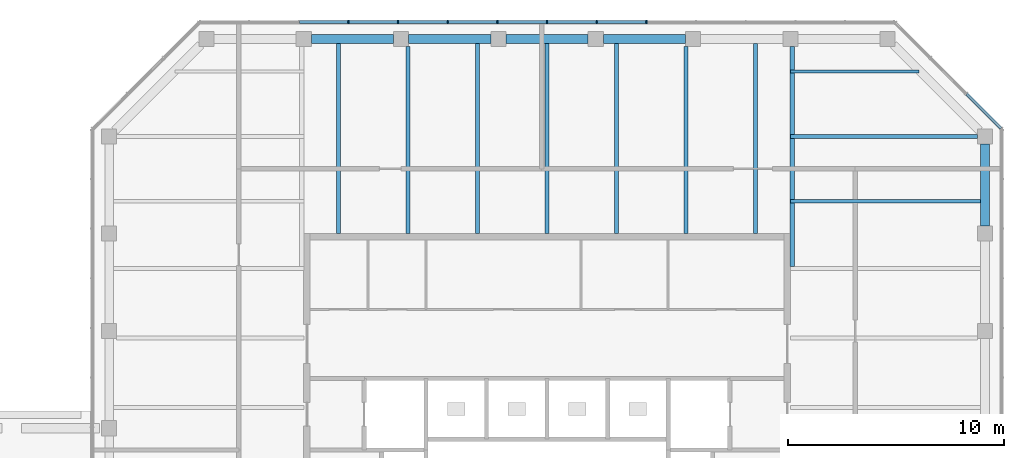
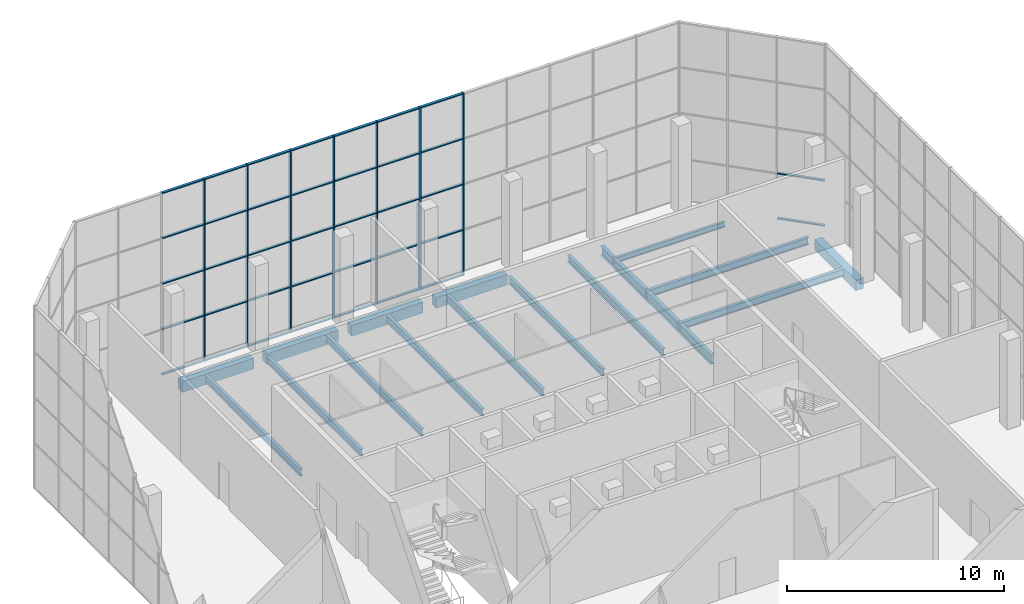
# One storey, part 8 of 19: 51 members, 16 beams, 2 elements without a shape of their own.
"""IFC4 building model written with IfcOpenShell, lengths in metres."""

from ifc_helpers import new_model, si_unit, direction, frame, origin, origin_2d, place, context, subcontext, project, spatial, rectangle, i_section, extrude, material, constituent, constituent_set, material_profile, profile_set, type_object, element, aggregate, save


model = new_model("IFC4")

# Units and contexts
model_context = context("Model", 3, precision=1e-05, world=origin(), true_north=direction((0.0, 1.0)))
body_context = subcontext(model_context, "Body", "Model", "MODEL_VIEW")
ifc_project = project(units=[si_unit("LENGTHUNIT", "METRE"), si_unit("AREAUNIT", "SQUARE_METRE"), si_unit("VOLUMEUNIT", "CUBIC_METRE"), si_unit("PLANEANGLEUNIT", "RADIAN"), si_unit("MASSUNIT", "GRAM", prefix="KILO")], contexts=[model_context])

# Site, building, storey
site_placement = place(None, origin())
site = spatial("IfcSite", under=ifc_project, at=site_placement, CompositionType="ELEMENT")
building_placement = place(site_placement, origin())
building = spatial("IfcBuilding", under=site, at=building_placement, Name="Quoin Convention Tower", CompositionType="ELEMENT")
storey_placement = place(building_placement, frame((0.0, 0.0, 263.699951171875)))
storey = spatial("IfcBuildingStorey", under=building, at=storey_placement, Name="L69", CompositionType="ELEMENT", Elevation=263.699951171875)

# Beams
ifc_material_1 = material(Name="Steel Grade 300", Category="steel")
ifc_material_profile_1 = material_profile(ifc_material_1, i_section(OverallWidth=0.14892578125, OverallDepth=0.298095703125, WebThickness=0.005615234375, FlangeThickness=0.008056640625, FilletRadius=0.012939453125, at=origin_2d()), Name="310UB32.0")
ifc_profile_set_1 = profile_set([ifc_material_profile_1], Name="Steel Grade 300")
beam_type_1 = type_object("IfcBeamType", Name="310UB32.0", PredefinedType="BEAM", material=ifc_profile_set_1)
beam_1_placement = place(storey_placement, frame((67.5, 79.5, -0.39892578125), z_axis=(1.0, 0.0, 0.0), x_axis=(0.0, 1.0, 0.0)))
element("IfcBeam", 1, at=beam_1_placement, inside=storey, type_object=beam_type_1, Name="bm-L69-T1NE0", PredefinedType="BEAM", context=body_context, shape_type="SweptSolid", body=[
    extrude(i_section(OverallWidth=0.14892578125, OverallDepth=0.298095703125, WebThickness=0.005615234375, FlangeThickness=0.008056640625, FilletRadius=0.012939453125, at=origin_2d()), origin(), (0.0, 0.0, 1.0), 5.947509765625),
])
ifc_material_profile_2 = material_profile(ifc_material_1, i_section(OverallWidth=0.177978515625, OverallDepth=0.403076171875, WebThickness=0.007568359375, FlangeThickness=0.010986328125, FilletRadius=0.011474609375, at=origin_2d()), Name="410UB53.7")
ifc_profile_set_2 = profile_set([ifc_material_profile_2], Name="Steel Grade 300")
beam_type_2 = type_object("IfcBeamType", Name="410UB53.7", PredefinedType="BEAM", material=ifc_profile_set_2)
beam_2_placement = place(storey_placement, frame((46.607177734375, 72.0, -0.451416015625), z_axis=(0.0, 1.0, 0.0), x_axis=(-1.0, 0.0, 0.0)))
element("IfcBeam", 2, at=beam_2_placement, inside=storey, type_object=beam_type_2, Name="bm-L69-T1N0", PredefinedType="BEAM", context=body_context, shape_type="SweptSolid", body=[
    extrude(i_section(OverallWidth=0.177978515625, OverallDepth=0.403076171875, WebThickness=0.007568359375, FlangeThickness=0.010986328125, FilletRadius=0.011474609375, at=origin_2d()), origin(), (0.0, 0.0, 1.0), 8.800048828125),
])
beam_3_placement = place(storey_placement, frame((49.8212890625, 72.0, -0.451416015625), z_axis=(0.0, 1.0, 0.0), x_axis=(-1.0, 0.0, 0.0)))
element("IfcBeam", 3, at=beam_3_placement, inside=storey, type_object=beam_type_2, Name="bm-L69-T1N1", PredefinedType="BEAM", context=body_context, shape_type="SweptSolid", body=[
    extrude(i_section(OverallWidth=0.177978515625, OverallDepth=0.403076171875, WebThickness=0.007568359375, FlangeThickness=0.010986328125, FilletRadius=0.011474609375, at=origin_2d()), origin(), (0.0, 0.0, 1.0), 8.64990234375),
])
for number, where, z_axis, x_axis, name in (
    (4, (53.03564453125, 72.0, -0.451416015625), (0.0, 1.0, 0.0), (-1.0, 0.0, 0.0), "bm-L69-T1N2"),
    (5, (56.25, 72.0, -0.451416015625), (0.0, 1.0, 0.0), (-1.0, 0.0, 0.0), "bm-L69-T1N3"),
    (6, (59.46435546875, 72.0, -0.451416015625), (0.0, 1.0, 0.0), (-1.0, 0.0, 0.0), "bm-L69-T1N4"),
):
    element("IfcBeam", number, at=place(storey_placement, frame(where, z_axis=z_axis, x_axis=x_axis)), inside=storey, type_object=beam_type_2, Name=name, PredefinedType="BEAM", context=body_context, shape_type="SweptSolid", body=[
        extrude(i_section(OverallWidth=0.177978515625, OverallDepth=0.403076171875, WebThickness=0.007568359375, FlangeThickness=0.010986328125, FilletRadius=0.011474609375, at=origin_2d()), origin(), (0.0, 0.0, 1.0), 8.800048828125),
    ])
beam_4_placement = place(storey_placement, frame((62.6787109375, 72.0, -0.451416015625), z_axis=(0.0, 1.0, 0.0), x_axis=(-1.0, 0.0, 0.0)))
element("IfcBeam", 7, at=beam_4_placement, inside=storey, type_object=beam_type_2, Name="bm-L69-T1N5", PredefinedType="BEAM", context=body_context, shape_type="SweptSolid", body=[
    extrude(i_section(OverallWidth=0.177978515625, OverallDepth=0.403076171875, WebThickness=0.007568359375, FlangeThickness=0.010986328125, FilletRadius=0.011474609375, at=origin_2d()), origin(), (0.0, 0.0, 1.0), 8.64990234375),
])
beam_5_placement = place(storey_placement, frame((65.892822265625, 72.0, -0.451416015625), z_axis=(0.0, 1.0, 0.0), x_axis=(-1.0, 0.0, 0.0)))
element("IfcBeam", 8, at=beam_5_placement, inside=storey, type_object=beam_type_2, Name="bm-L69-T1N6", PredefinedType="BEAM", context=body_context, shape_type="SweptSolid", body=[
    extrude(i_section(OverallWidth=0.177978515625, OverallDepth=0.403076171875, WebThickness=0.007568359375, FlangeThickness=0.010986328125, FilletRadius=0.011474609375, at=origin_2d()), origin(), (0.0, 0.0, 1.0), 8.800048828125),
])
beam_6_placement = place(storey_placement, frame((67.5, 76.5, -0.451416015625), z_axis=(1.0, 0.0, 0.0), x_axis=(0.0, 1.0, 0.0)))
element("IfcBeam", 9, at=beam_6_placement, inside=storey, type_object=beam_type_2, Name="bm-L69-T1NE1", PredefinedType="BEAM", context=body_context, shape_type="SweptSolid", body=[
    extrude(i_section(OverallWidth=0.177978515625, OverallDepth=0.403076171875, WebThickness=0.007568359375, FlangeThickness=0.010986328125, FilletRadius=0.011474609375, at=origin_2d()), origin(), (0.0, 0.0, 1.0), 8.64990234375),
])
beam_7_placement = place(storey_placement, frame((67.5, 73.5, -0.451416015625), z_axis=(1.0, 0.0, 0.0), x_axis=(0.0, 1.0, 0.0)))
element("IfcBeam", 10, at=beam_7_placement, inside=storey, type_object=beam_type_2, Name="bm-L69-T1NE2", PredefinedType="BEAM", context=body_context, shape_type="SweptSolid", body=[
    extrude(i_section(OverallWidth=0.177978515625, OverallDepth=0.403076171875, WebThickness=0.007568359375, FlangeThickness=0.010986328125, FilletRadius=0.011474609375, at=origin_2d()), origin(), (0.0, 0.0, 1.0), 8.800048828125),
])
ifc_material_profile_3 = material_profile(ifc_material_1, i_section(OverallWidth=0.208984375, OverallDepth=0.528076171875, WebThickness=0.009521484375, FlangeThickness=0.01318359375, FilletRadius=0.013916015625, at=origin_2d()), Name="530UB82.0")
ifc_profile_set_3 = profile_set([ifc_material_profile_3], Name="Steel Grade 300")
beam_type_3 = type_object("IfcBeamType", Name="530UB82.0", PredefinedType="BEAM", material=ifc_profile_set_3)
beam_8_placement = place(storey_placement, frame((67.595458984375, 80.64990234375, -0.513916015625), z_axis=(0.0, -1.0, 0.0), x_axis=(1.0, 0.0, 0.0)))
element("IfcBeam", 11, at=beam_8_placement, inside=storey, type_object=beam_type_3, Name="gir-L69-T1NE", PredefinedType="BEAM", context=body_context, shape_type="SweptSolid", body=[
    extrude(i_section(OverallWidth=0.208984375, OverallDepth=0.528076171875, WebThickness=0.009521484375, FlangeThickness=0.01318359375, FilletRadius=0.013916015625, at=origin_2d()), origin(), (0.0, 0.0, 1.0), 10.16796875),
])

# Curtain wall, members
ifc_material_2 = material(Name="Aluminium", Category="aluminium")
ifc_constituent_1 = constituent(ifc_material_2, Name="Frame")
ifc_material_3 = material(Name="Insulated glass", Category="glass")
ifc_constituent_2 = constituent(ifc_material_3, Name="Glazing")
ifc_constituent_set = constituent_set(constituents=[ifc_constituent_1, ifc_constituent_2], Name="Aluminium")
curtain_wall_type = type_object("IfcCurtainWallType", Name="Lantern wall system", PredefinedType="NOTDEFINED", material=ifc_constituent_set)
curtain_wall_1_placement = place(storey_placement, origin())
curtain_wall_1 = element("IfcCurtainWall", 12, at=curtain_wall_1_placement, inside=storey, type_object=curtain_wall_type, Name="crn-LNW-72000_81000", PredefinedType="NOTDEFINED")
ifc_material_profile_4 = material_profile(ifc_material_2, rectangle(XDim=0.179931640625, YDim=0.06005859375, at=origin_2d()), Name="Lantern wall mullion 60x180")
ifc_profile_set_4 = profile_set([ifc_material_profile_4], Name="Aluminium")
member_type_1 = type_object("IfcMemberType", Name="Lantern wall mullion 60x180", PredefinedType="MULLION", material=ifc_profile_set_4)
member_1_placement = place(storey_placement, frame((60.843505859375, 81.7900390625, -0.25), z_axis=(0.0, 0.0, 1.0), x_axis=(0.0, -1.0, 0.0)))
member_1 = element("IfcMember", 13, at=member_1_placement, type_object=member_type_1, Name="CW5 mullion 6", PredefinedType="MULLION", context=body_context, shape_type="SweptSolid", body=[
    extrude(rectangle(XDim=0.179931640625, YDim=0.06005859375, at=origin_2d()), origin(), (0.0, 0.0, 1.0), 5.25),
])
member_2_placement = place(storey_placement, frame((58.546630859375, 81.7900390625, -0.25), z_axis=(0.0, 0.0, 1.0), x_axis=(0.0, -1.0, 0.0)))
member_2 = element("IfcMember", 14, at=member_2_placement, type_object=member_type_1, Name="CW5 mullion 7", PredefinedType="MULLION", context=body_context, shape_type="SweptSolid", body=[
    extrude(rectangle(XDim=0.179931640625, YDim=0.06005859375, at=origin_2d()), origin(), (0.0, 0.0, 1.0), 5.25),
])
member_3_placement = place(storey_placement, frame((56.25, 81.7900390625, -0.25), z_axis=(0.0, 0.0, 1.0), x_axis=(0.0, -1.0, 0.0)))
member_3 = element("IfcMember", 15, at=member_3_placement, type_object=member_type_1, Name="CW5 mullion 8", PredefinedType="MULLION", context=body_context, shape_type="SweptSolid", body=[
    extrude(rectangle(XDim=0.179931640625, YDim=0.06005859375, at=origin_2d()), origin(), (0.0, 0.0, 1.0), 5.25),
])
member_4_placement = place(storey_placement, frame((53.953369140625, 81.7900390625, -0.25), z_axis=(0.0, 0.0, 1.0), x_axis=(0.0, -1.0, 0.0)))
member_4 = element("IfcMember", 16, at=member_4_placement, type_object=member_type_1, Name="CW5 mullion 9", PredefinedType="MULLION", context=body_context, shape_type="SweptSolid", body=[
    extrude(rectangle(XDim=0.179931640625, YDim=0.06005859375, at=origin_2d()), origin(), (0.0, 0.0, 1.0), 5.25),
])
member_5_placement = place(storey_placement, frame((51.656494140625, 81.7900390625, -0.25), z_axis=(0.0, 0.0, 1.0), x_axis=(0.0, -1.0, 0.0)))
member_5 = element("IfcMember", 17, at=member_5_placement, type_object=member_type_1, Name="CW5 mullion 10", PredefinedType="MULLION", context=body_context, shape_type="SweptSolid", body=[
    extrude(rectangle(XDim=0.179931640625, YDim=0.06005859375, at=origin_2d()), origin(), (0.0, 0.0, 1.0), 5.25),
])
member_6_placement = place(storey_placement, frame((49.35986328125, 81.7900390625, -0.25), z_axis=(0.0, 0.0, 1.0), x_axis=(0.0, -1.0, 0.0)))
member_6 = element("IfcMember", 18, at=member_6_placement, type_object=member_type_1, Name="CW5 mullion 11", PredefinedType="MULLION", context=body_context, shape_type="SweptSolid", body=[
    extrude(rectangle(XDim=0.179931640625, YDim=0.06005859375, at=origin_2d()), origin(), (0.0, 0.0, 1.0), 5.25),
])
member_7_placement = place(storey_placement, frame((47.06298828125, 81.7900390625, -0.25), z_axis=(0.0, 0.0, 1.0), x_axis=(0.0, -1.0, 0.0)))
member_7 = element("IfcMember", 19, at=member_7_placement, type_object=member_type_1, Name="CW5 mullion 12", PredefinedType="MULLION", context=body_context, shape_type="SweptSolid", body=[
    extrude(rectangle(XDim=0.179931640625, YDim=0.06005859375, at=origin_2d()), origin(), (0.0, 0.0, 1.0), 5.25),
])
member_8_placement = place(storey_placement, frame((60.843505859375, 81.7900390625, 5.0), z_axis=(0.0, 0.0, 1.0), x_axis=(0.0, -1.0, 0.0)))
member_8 = element("IfcMember", 20, at=member_8_placement, type_object=member_type_1, Name="CW5 mullion 6", PredefinedType="MULLION", context=body_context, shape_type="SweptSolid", body=[
    extrude(rectangle(XDim=0.179931640625, YDim=0.06005859375, at=origin_2d()), origin(), (0.0, 0.0, 1.0), 5.0),
])
member_9_placement = place(storey_placement, frame((58.546630859375, 81.7900390625, 5.0), z_axis=(0.0, 0.0, 1.0), x_axis=(0.0, -1.0, 0.0)))
member_9 = element("IfcMember", 21, at=member_9_placement, type_object=member_type_1, Name="CW5 mullion 7", PredefinedType="MULLION", context=body_context, shape_type="SweptSolid", body=[
    extrude(rectangle(XDim=0.179931640625, YDim=0.06005859375, at=origin_2d()), origin(), (0.0, 0.0, 1.0), 5.0),
])
member_10_placement = place(storey_placement, frame((56.25, 81.7900390625, 5.0), z_axis=(0.0, 0.0, 1.0), x_axis=(0.0, -1.0, 0.0)))
member_10 = element("IfcMember", 22, at=member_10_placement, type_object=member_type_1, Name="CW5 mullion 8", PredefinedType="MULLION", context=body_context, shape_type="SweptSolid", body=[
    extrude(rectangle(XDim=0.179931640625, YDim=0.06005859375, at=origin_2d()), origin(), (0.0, 0.0, 1.0), 5.0),
])
member_11_placement = place(storey_placement, frame((53.953369140625, 81.7900390625, 5.0), z_axis=(0.0, 0.0, 1.0), x_axis=(0.0, -1.0, 0.0)))
member_11 = element("IfcMember", 23, at=member_11_placement, type_object=member_type_1, Name="CW5 mullion 9", PredefinedType="MULLION", context=body_context, shape_type="SweptSolid", body=[
    extrude(rectangle(XDim=0.179931640625, YDim=0.06005859375, at=origin_2d()), origin(), (0.0, 0.0, 1.0), 5.0),
])
member_12_placement = place(storey_placement, frame((51.656494140625, 81.7900390625, 5.0), z_axis=(0.0, 0.0, 1.0), x_axis=(0.0, -1.0, 0.0)))
member_12 = element("IfcMember", 24, at=member_12_placement, type_object=member_type_1, Name="CW5 mullion 10", PredefinedType="MULLION", context=body_context, shape_type="SweptSolid", body=[
    extrude(rectangle(XDim=0.179931640625, YDim=0.06005859375, at=origin_2d()), origin(), (0.0, 0.0, 1.0), 5.0),
])
member_13_placement = place(storey_placement, frame((49.35986328125, 81.7900390625, 5.0), z_axis=(0.0, 0.0, 1.0), x_axis=(0.0, -1.0, 0.0)))
member_13 = element("IfcMember", 25, at=member_13_placement, type_object=member_type_1, Name="CW5 mullion 11", PredefinedType="MULLION", context=body_context, shape_type="SweptSolid", body=[
    extrude(rectangle(XDim=0.179931640625, YDim=0.06005859375, at=origin_2d()), origin(), (0.0, 0.0, 1.0), 5.0),
])
member_14_placement = place(storey_placement, frame((47.06298828125, 81.7900390625, 5.0), z_axis=(0.0, 0.0, 1.0), x_axis=(0.0, -1.0, 0.0)))
member_14 = element("IfcMember", 26, at=member_14_placement, type_object=member_type_1, Name="CW5 mullion 12", PredefinedType="MULLION", context=body_context, shape_type="SweptSolid", body=[
    extrude(rectangle(XDim=0.179931640625, YDim=0.06005859375, at=origin_2d()), origin(), (0.0, 0.0, 1.0), 5.0),
])

curtain_wall_2_placement = place(storey_placement, origin())
curtain_wall_2 = element("IfcCurtainWall", 27, at=curtain_wall_2_placement, inside=storey, type_object=curtain_wall_type, Name="crn-LNW-76500_76500", PredefinedType="NOTDEFINED")
ifc_material_profile_5 = material_profile(ifc_material_2, rectangle(XDim=0.139892578125, YDim=0.06005859375, at=origin_2d()), Name="Lantern wall transom 60x140")
ifc_profile_set_5 = profile_set([ifc_material_profile_5], Name="Aluminium")
member_type_2 = type_object("IfcMemberType", Name="Lantern wall transom 60x140", PredefinedType="USERDEFINED", material=ifc_profile_set_5)
member_15_placement = place(storey_placement, frame((77.24755859375, 76.86962890625, -0.219970703125), z_axis=(-0.707106781187, 0.707106781187, 0.0), x_axis=(-0.707106781187, -0.707106781187, 0.0)))
member_15 = element("IfcMember", 28, at=member_15_placement, type_object=member_type_2, Name="CW5 transom 1.1", ObjectType="TRANSOM", PredefinedType="USERDEFINED", context=body_context, shape_type="SweptSolid", body=[
    extrude(rectangle(XDim=0.139892578125, YDim=0.06005859375, at=origin_2d()), origin(), (0.0, 0.0, 1.0), 2.24951171875),
])
member_16_placement = place(storey_placement, frame((77.24755859375, 76.86962890625, 2.3125), z_axis=(-0.707106781187, 0.707106781187, 0.0), x_axis=(-0.707106781187, -0.707106781187, 0.0)))
member_16 = element("IfcMember", 29, at=member_16_placement, type_object=member_type_2, Name="CW5 transom 1.2", ObjectType="TRANSOM", PredefinedType="USERDEFINED", context=body_context, shape_type="SweptSolid", body=[
    extrude(rectangle(XDim=0.139892578125, YDim=0.06005859375, at=origin_2d()), origin(), (0.0, 0.0, 1.0), 2.24951171875),
])
aggregate(curtain_wall_2, [member_15, member_16])

# Member
member_17_placement = place(storey_placement, frame((60.8134765625, 81.7900390625, -0.219970703125), z_axis=(-1.0, 0.0, 0.0), x_axis=(0.0, -1.0, 0.0)))
member_17 = element("IfcMember", 30, at=member_17_placement, type_object=member_type_2, Name="CW5 transom 6.1", ObjectType="TRANSOM", PredefinedType="USERDEFINED", context=body_context, shape_type="SweptSolid", body=[
    extrude(rectangle(XDim=0.139892578125, YDim=0.06005859375, at=origin_2d()), origin(), (0.0, 0.0, 1.0), 2.23681640625),
])

member_18_placement = place(storey_placement, frame((60.8134765625, 81.7900390625, 2.3125), z_axis=(-1.0, 0.0, 0.0), x_axis=(0.0, -1.0, 0.0)))
member_18 = element("IfcMember", 31, at=member_18_placement, type_object=member_type_2, Name="CW5 transom 6.2", ObjectType="TRANSOM", PredefinedType="USERDEFINED", context=body_context, shape_type="SweptSolid", body=[
    extrude(rectangle(XDim=0.139892578125, YDim=0.06005859375, at=origin_2d()), origin(), (0.0, 0.0, 1.0), 2.23681640625),
])

member_19_placement = place(storey_placement, frame((60.8134765625, 81.7900390625, 4.875), z_axis=(-1.0, 0.0, 0.0), x_axis=(0.0, -1.0, 0.0)))
member_19 = element("IfcMember", 32, at=member_19_placement, type_object=member_type_2, Name="CW5 transom 6.3", ObjectType="TRANSOM", PredefinedType="USERDEFINED", context=body_context, shape_type="SweptSolid", body=[
    extrude(rectangle(XDim=0.139892578125, YDim=0.06005859375, at=origin_2d()), origin(), (0.0, 0.0, 1.0), 2.23681640625),
])

member_20_placement = place(storey_placement, frame((60.8134765625, 81.7900390625, 7.4375), z_axis=(-1.0, 0.0, 0.0), x_axis=(0.0, -1.0, 0.0)))
member_20 = element("IfcMember", 33, at=member_20_placement, type_object=member_type_2, Name="CW5 transom 6.4", ObjectType="TRANSOM", PredefinedType="USERDEFINED", context=body_context, shape_type="SweptSolid", body=[
    extrude(rectangle(XDim=0.139892578125, YDim=0.06005859375, at=origin_2d()), origin(), (0.0, 0.0, 1.0), 2.23681640625),
])

member_21_placement = place(storey_placement, frame((60.8134765625, 81.7900390625, 9.969970703125), z_axis=(-1.0, 0.0, 0.0), x_axis=(0.0, -1.0, 0.0)))
member_21 = element("IfcMember", 34, at=member_21_placement, type_object=member_type_2, Name="CW5 transom 6.5", ObjectType="TRANSOM", PredefinedType="USERDEFINED", context=body_context, shape_type="SweptSolid", body=[
    extrude(rectangle(XDim=0.139892578125, YDim=0.06005859375, at=origin_2d()), origin(), (0.0, 0.0, 1.0), 2.23681640625),
])

member_22_placement = place(storey_placement, frame((58.516845703125, 81.7900390625, -0.219970703125), z_axis=(-1.0, 0.0, 0.0), x_axis=(0.0, -1.0, 0.0)))
member_22 = element("IfcMember", 35, at=member_22_placement, type_object=member_type_2, Name="CW5 transom 7.1", ObjectType="TRANSOM", PredefinedType="USERDEFINED", context=body_context, shape_type="SweptSolid", body=[
    extrude(rectangle(XDim=0.139892578125, YDim=0.06005859375, at=origin_2d()), origin(), (0.0, 0.0, 1.0), 2.23681640625),
])

member_23_placement = place(storey_placement, frame((58.516845703125, 81.7900390625, 2.3125), z_axis=(-1.0, 0.0, 0.0), x_axis=(0.0, -1.0, 0.0)))
member_23 = element("IfcMember", 36, at=member_23_placement, type_object=member_type_2, Name="CW5 transom 7.2", ObjectType="TRANSOM", PredefinedType="USERDEFINED", context=body_context, shape_type="SweptSolid", body=[
    extrude(rectangle(XDim=0.139892578125, YDim=0.06005859375, at=origin_2d()), origin(), (0.0, 0.0, 1.0), 2.23681640625),
])

member_24_placement = place(storey_placement, frame((58.516845703125, 81.7900390625, 4.875), z_axis=(-1.0, 0.0, 0.0), x_axis=(0.0, -1.0, 0.0)))
member_24 = element("IfcMember", 37, at=member_24_placement, type_object=member_type_2, Name="CW5 transom 7.3", ObjectType="TRANSOM", PredefinedType="USERDEFINED", context=body_context, shape_type="SweptSolid", body=[
    extrude(rectangle(XDim=0.139892578125, YDim=0.06005859375, at=origin_2d()), origin(), (0.0, 0.0, 1.0), 2.23681640625),
])

member_25_placement = place(storey_placement, frame((58.516845703125, 81.7900390625, 7.4375), z_axis=(-1.0, 0.0, 0.0), x_axis=(0.0, -1.0, 0.0)))
member_25 = element("IfcMember", 38, at=member_25_placement, type_object=member_type_2, Name="CW5 transom 7.4", ObjectType="TRANSOM", PredefinedType="USERDEFINED", context=body_context, shape_type="SweptSolid", body=[
    extrude(rectangle(XDim=0.139892578125, YDim=0.06005859375, at=origin_2d()), origin(), (0.0, 0.0, 1.0), 2.23681640625),
])

member_26_placement = place(storey_placement, frame((58.516845703125, 81.7900390625, 9.969970703125), z_axis=(-1.0, 0.0, 0.0), x_axis=(0.0, -1.0, 0.0)))
member_26 = element("IfcMember", 39, at=member_26_placement, type_object=member_type_2, Name="CW5 transom 7.5", ObjectType="TRANSOM", PredefinedType="USERDEFINED", context=body_context, shape_type="SweptSolid", body=[
    extrude(rectangle(XDim=0.139892578125, YDim=0.06005859375, at=origin_2d()), origin(), (0.0, 0.0, 1.0), 2.23681640625),
])

member_27_placement = place(storey_placement, frame((56.219970703125, 81.7900390625, -0.219970703125), z_axis=(-1.0, 0.0, 0.0), x_axis=(0.0, -1.0, 0.0)))
member_27 = element("IfcMember", 40, at=member_27_placement, type_object=member_type_2, Name="CW5 transom 8.1", ObjectType="TRANSOM", PredefinedType="USERDEFINED", context=body_context, shape_type="SweptSolid", body=[
    extrude(rectangle(XDim=0.139892578125, YDim=0.06005859375, at=origin_2d()), origin(), (0.0, 0.0, 1.0), 2.23681640625),
])

member_28_placement = place(storey_placement, frame((56.219970703125, 81.7900390625, 2.3125), z_axis=(-1.0, 0.0, 0.0), x_axis=(0.0, -1.0, 0.0)))
member_28 = element("IfcMember", 41, at=member_28_placement, type_object=member_type_2, Name="CW5 transom 8.2", ObjectType="TRANSOM", PredefinedType="USERDEFINED", context=body_context, shape_type="SweptSolid", body=[
    extrude(rectangle(XDim=0.139892578125, YDim=0.06005859375, at=origin_2d()), origin(), (0.0, 0.0, 1.0), 2.23681640625),
])

member_29_placement = place(storey_placement, frame((56.219970703125, 81.7900390625, 4.875), z_axis=(-1.0, 0.0, 0.0), x_axis=(0.0, -1.0, 0.0)))
member_29 = element("IfcMember", 42, at=member_29_placement, type_object=member_type_2, Name="CW5 transom 8.3", ObjectType="TRANSOM", PredefinedType="USERDEFINED", context=body_context, shape_type="SweptSolid", body=[
    extrude(rectangle(XDim=0.139892578125, YDim=0.06005859375, at=origin_2d()), origin(), (0.0, 0.0, 1.0), 2.23681640625),
])

member_30_placement = place(storey_placement, frame((56.219970703125, 81.7900390625, 7.4375), z_axis=(-1.0, 0.0, 0.0), x_axis=(0.0, -1.0, 0.0)))
member_30 = element("IfcMember", 43, at=member_30_placement, type_object=member_type_2, Name="CW5 transom 8.4", ObjectType="TRANSOM", PredefinedType="USERDEFINED", context=body_context, shape_type="SweptSolid", body=[
    extrude(rectangle(XDim=0.139892578125, YDim=0.06005859375, at=origin_2d()), origin(), (0.0, 0.0, 1.0), 2.23681640625),
])

member_31_placement = place(storey_placement, frame((56.219970703125, 81.7900390625, 9.969970703125), z_axis=(-1.0, 0.0, 0.0), x_axis=(0.0, -1.0, 0.0)))
member_31 = element("IfcMember", 44, at=member_31_placement, type_object=member_type_2, Name="CW5 transom 8.5", ObjectType="TRANSOM", PredefinedType="USERDEFINED", context=body_context, shape_type="SweptSolid", body=[
    extrude(rectangle(XDim=0.139892578125, YDim=0.06005859375, at=origin_2d()), origin(), (0.0, 0.0, 1.0), 2.23681640625),
])

member_32_placement = place(storey_placement, frame((53.92333984375, 81.7900390625, -0.219970703125), z_axis=(-1.0, 0.0, 0.0), x_axis=(0.0, -1.0, 0.0)))
member_32 = element("IfcMember", 45, at=member_32_placement, type_object=member_type_2, Name="CW5 transom 9.1", ObjectType="TRANSOM", PredefinedType="USERDEFINED", context=body_context, shape_type="SweptSolid", body=[
    extrude(rectangle(XDim=0.139892578125, YDim=0.06005859375, at=origin_2d()), origin(), (0.0, 0.0, 1.0), 2.23681640625),
])

member_33_placement = place(storey_placement, frame((53.92333984375, 81.7900390625, 2.3125), z_axis=(-1.0, 0.0, 0.0), x_axis=(0.0, -1.0, 0.0)))
member_33 = element("IfcMember", 46, at=member_33_placement, type_object=member_type_2, Name="CW5 transom 9.2", ObjectType="TRANSOM", PredefinedType="USERDEFINED", context=body_context, shape_type="SweptSolid", body=[
    extrude(rectangle(XDim=0.139892578125, YDim=0.06005859375, at=origin_2d()), origin(), (0.0, 0.0, 1.0), 2.23681640625),
])

member_34_placement = place(storey_placement, frame((53.92333984375, 81.7900390625, 4.875), z_axis=(-1.0, 0.0, 0.0), x_axis=(0.0, -1.0, 0.0)))
member_34 = element("IfcMember", 47, at=member_34_placement, type_object=member_type_2, Name="CW5 transom 9.3", ObjectType="TRANSOM", PredefinedType="USERDEFINED", context=body_context, shape_type="SweptSolid", body=[
    extrude(rectangle(XDim=0.139892578125, YDim=0.06005859375, at=origin_2d()), origin(), (0.0, 0.0, 1.0), 2.23681640625),
])

member_35_placement = place(storey_placement, frame((53.92333984375, 81.7900390625, 7.4375), z_axis=(-1.0, 0.0, 0.0), x_axis=(0.0, -1.0, 0.0)))
member_35 = element("IfcMember", 48, at=member_35_placement, type_object=member_type_2, Name="CW5 transom 9.4", ObjectType="TRANSOM", PredefinedType="USERDEFINED", context=body_context, shape_type="SweptSolid", body=[
    extrude(rectangle(XDim=0.139892578125, YDim=0.06005859375, at=origin_2d()), origin(), (0.0, 0.0, 1.0), 2.23681640625),
])

member_36_placement = place(storey_placement, frame((53.92333984375, 81.7900390625, 9.969970703125), z_axis=(-1.0, 0.0, 0.0), x_axis=(0.0, -1.0, 0.0)))
member_36 = element("IfcMember", 49, at=member_36_placement, type_object=member_type_2, Name="CW5 transom 9.5", ObjectType="TRANSOM", PredefinedType="USERDEFINED", context=body_context, shape_type="SweptSolid", body=[
    extrude(rectangle(XDim=0.139892578125, YDim=0.06005859375, at=origin_2d()), origin(), (0.0, 0.0, 1.0), 2.23681640625),
])

member_37_placement = place(storey_placement, frame((51.62646484375, 81.7900390625, -0.219970703125), z_axis=(-1.0, 0.0, 0.0), x_axis=(0.0, -1.0, 0.0)))
member_37 = element("IfcMember", 50, at=member_37_placement, type_object=member_type_2, Name="CW5 transom 10.1", ObjectType="TRANSOM", PredefinedType="USERDEFINED", context=body_context, shape_type="SweptSolid", body=[
    extrude(rectangle(XDim=0.139892578125, YDim=0.06005859375, at=origin_2d()), origin(), (0.0, 0.0, 1.0), 2.236572265625),
])

member_38_placement = place(storey_placement, frame((51.62646484375, 81.7900390625, 2.3125), z_axis=(-1.0, 0.0, 0.0), x_axis=(0.0, -1.0, 0.0)))
member_38 = element("IfcMember", 51, at=member_38_placement, type_object=member_type_2, Name="CW5 transom 10.2", ObjectType="TRANSOM", PredefinedType="USERDEFINED", context=body_context, shape_type="SweptSolid", body=[
    extrude(rectangle(XDim=0.139892578125, YDim=0.06005859375, at=origin_2d()), origin(), (0.0, 0.0, 1.0), 2.236572265625),
])

member_39_placement = place(storey_placement, frame((51.62646484375, 81.7900390625, 4.875), z_axis=(-1.0, 0.0, 0.0), x_axis=(0.0, -1.0, 0.0)))
member_39 = element("IfcMember", 52, at=member_39_placement, type_object=member_type_2, Name="CW5 transom 10.3", ObjectType="TRANSOM", PredefinedType="USERDEFINED", context=body_context, shape_type="SweptSolid", body=[
    extrude(rectangle(XDim=0.139892578125, YDim=0.06005859375, at=origin_2d()), origin(), (0.0, 0.0, 1.0), 2.236572265625),
])

member_40_placement = place(storey_placement, frame((51.62646484375, 81.7900390625, 7.4375), z_axis=(-1.0, 0.0, 0.0), x_axis=(0.0, -1.0, 0.0)))
member_40 = element("IfcMember", 53, at=member_40_placement, type_object=member_type_2, Name="CW5 transom 10.4", ObjectType="TRANSOM", PredefinedType="USERDEFINED", context=body_context, shape_type="SweptSolid", body=[
    extrude(rectangle(XDim=0.139892578125, YDim=0.06005859375, at=origin_2d()), origin(), (0.0, 0.0, 1.0), 2.236572265625),
])

member_41_placement = place(storey_placement, frame((51.62646484375, 81.7900390625, 9.969970703125), z_axis=(-1.0, 0.0, 0.0), x_axis=(0.0, -1.0, 0.0)))
member_41 = element("IfcMember", 54, at=member_41_placement, type_object=member_type_2, Name="CW5 transom 10.5", ObjectType="TRANSOM", PredefinedType="USERDEFINED", context=body_context, shape_type="SweptSolid", body=[
    extrude(rectangle(XDim=0.139892578125, YDim=0.06005859375, at=origin_2d()), origin(), (0.0, 0.0, 1.0), 2.236572265625),
])

member_42_placement = place(storey_placement, frame((49.329833984375, 81.7900390625, -0.219970703125), z_axis=(-1.0, 0.0, 0.0), x_axis=(0.0, -1.0, 0.0)))
member_42 = element("IfcMember", 55, at=member_42_placement, type_object=member_type_2, Name="CW5 transom 11.1", ObjectType="TRANSOM", PredefinedType="USERDEFINED", context=body_context, shape_type="SweptSolid", body=[
    extrude(rectangle(XDim=0.139892578125, YDim=0.06005859375, at=origin_2d()), origin(), (0.0, 0.0, 1.0), 2.23681640625),
])

member_43_placement = place(storey_placement, frame((49.329833984375, 81.7900390625, 2.3125), z_axis=(-1.0, 0.0, 0.0), x_axis=(0.0, -1.0, 0.0)))
member_43 = element("IfcMember", 56, at=member_43_placement, type_object=member_type_2, Name="CW5 transom 11.2", ObjectType="TRANSOM", PredefinedType="USERDEFINED", context=body_context, shape_type="SweptSolid", body=[
    extrude(rectangle(XDim=0.139892578125, YDim=0.06005859375, at=origin_2d()), origin(), (0.0, 0.0, 1.0), 2.23681640625),
])

member_44_placement = place(storey_placement, frame((49.329833984375, 81.7900390625, 4.875), z_axis=(-1.0, 0.0, 0.0), x_axis=(0.0, -1.0, 0.0)))
member_44 = element("IfcMember", 57, at=member_44_placement, type_object=member_type_2, Name="CW5 transom 11.3", ObjectType="TRANSOM", PredefinedType="USERDEFINED", context=body_context, shape_type="SweptSolid", body=[
    extrude(rectangle(XDim=0.139892578125, YDim=0.06005859375, at=origin_2d()), origin(), (0.0, 0.0, 1.0), 2.23681640625),
])

member_45_placement = place(storey_placement, frame((49.329833984375, 81.7900390625, 7.4375), z_axis=(-1.0, 0.0, 0.0), x_axis=(0.0, -1.0, 0.0)))
member_45 = element("IfcMember", 58, at=member_45_placement, type_object=member_type_2, Name="CW5 transom 11.4", ObjectType="TRANSOM", PredefinedType="USERDEFINED", context=body_context, shape_type="SweptSolid", body=[
    extrude(rectangle(XDim=0.139892578125, YDim=0.06005859375, at=origin_2d()), origin(), (0.0, 0.0, 1.0), 2.23681640625),
])

member_46_placement = place(storey_placement, frame((49.329833984375, 81.7900390625, 9.969970703125), z_axis=(-1.0, 0.0, 0.0), x_axis=(0.0, -1.0, 0.0)))
member_46 = element("IfcMember", 59, at=member_46_placement, type_object=member_type_2, Name="CW5 transom 11.5", ObjectType="TRANSOM", PredefinedType="USERDEFINED", context=body_context, shape_type="SweptSolid", body=[
    extrude(rectangle(XDim=0.139892578125, YDim=0.06005859375, at=origin_2d()), origin(), (0.0, 0.0, 1.0), 2.23681640625),
])

member_47_placement = place(storey_placement, frame((47.032958984375, 81.7900390625, -0.219970703125), z_axis=(-1.0, 0.0, 0.0), x_axis=(0.0, -1.0, 0.0)))
member_47 = element("IfcMember", 60, at=member_47_placement, type_object=member_type_2, Name="CW5 transom 12.1", ObjectType="TRANSOM", PredefinedType="USERDEFINED", context=body_context, shape_type="SweptSolid", body=[
    extrude(rectangle(XDim=0.139892578125, YDim=0.06005859375, at=origin_2d()), origin(), (0.0, 0.0, 1.0), 2.236572265625),
])

member_48_placement = place(storey_placement, frame((47.032958984375, 81.7900390625, 2.3125), z_axis=(-1.0, 0.0, 0.0), x_axis=(0.0, -1.0, 0.0)))
member_48 = element("IfcMember", 61, at=member_48_placement, type_object=member_type_2, Name="CW5 transom 12.2", ObjectType="TRANSOM", PredefinedType="USERDEFINED", context=body_context, shape_type="SweptSolid", body=[
    extrude(rectangle(XDim=0.139892578125, YDim=0.06005859375, at=origin_2d()), origin(), (0.0, 0.0, 1.0), 2.236572265625),
])

member_49_placement = place(storey_placement, frame((47.032958984375, 81.7900390625, 4.875), z_axis=(-1.0, 0.0, 0.0), x_axis=(0.0, -1.0, 0.0)))
member_49 = element("IfcMember", 62, at=member_49_placement, type_object=member_type_2, Name="CW5 transom 12.3", ObjectType="TRANSOM", PredefinedType="USERDEFINED", context=body_context, shape_type="SweptSolid", body=[
    extrude(rectangle(XDim=0.139892578125, YDim=0.06005859375, at=origin_2d()), origin(), (0.0, 0.0, 1.0), 2.236572265625),
])

member_50_placement = place(storey_placement, frame((47.032958984375, 81.7900390625, 7.4375), z_axis=(-1.0, 0.0, 0.0), x_axis=(0.0, -1.0, 0.0)))
member_50 = element("IfcMember", 63, at=member_50_placement, type_object=member_type_2, Name="CW5 transom 12.4", ObjectType="TRANSOM", PredefinedType="USERDEFINED", context=body_context, shape_type="SweptSolid", body=[
    extrude(rectangle(XDim=0.139892578125, YDim=0.06005859375, at=origin_2d()), origin(), (0.0, 0.0, 1.0), 2.236572265625),
])

member_51_placement = place(storey_placement, frame((47.032958984375, 81.7900390625, 9.969970703125), z_axis=(-1.0, 0.0, 0.0), x_axis=(0.0, -1.0, 0.0)))
member_51 = element("IfcMember", 64, at=member_51_placement, type_object=member_type_2, Name="CW5 transom 12.5", ObjectType="TRANSOM", PredefinedType="USERDEFINED", context=body_context, shape_type="SweptSolid", body=[
    extrude(rectangle(XDim=0.139892578125, YDim=0.06005859375, at=origin_2d()), origin(), (0.0, 0.0, 1.0), 2.236572265625),
])

aggregate(curtain_wall_1, [member_1, member_2, member_3, member_4, member_5, member_6, member_7, member_17, member_18, member_19, member_20, member_21, member_22, member_23, member_24, member_25, member_26, member_27, member_28, member_29, member_30, member_31, member_32, member_33, member_34, member_35, member_36, member_37, member_38, member_39, member_40, member_41, member_42, member_43, member_44, member_45, member_46, member_47, member_48, member_49, member_50, member_51, member_8, member_9, member_10, member_11, member_12, member_13, member_14])

# Beams
ifc_material_4 = material(Name="Concrete C40", Category="concrete")
ifc_material_profile_6 = material_profile(ifc_material_4, rectangle(XDim=0.39990234375, YDim=0.60009765625, at=origin_2d()), Name="RC 400x600")
ifc_profile_set_6 = profile_set([ifc_material_profile_6], Name="Concrete C40")
beam_type_4 = type_object("IfcBeamType", Name="RC 400x600 C40", PredefinedType="SPANDREL", material=ifc_profile_set_6)
for number, where, z_axis, x_axis, name in (
    (65, (76.5, 72.35009765625, -0.550048828125), (0.0, 1.0, 0.0), (-1.0, 0.0, 0.0), "spd-L69-76500_72000-76500_76500"),
    (66, (62.64990234375, 81.0, -0.550048828125), (-1.0, 0.0, 0.0), (0.0, -1.0, 0.0), "spd-L69-63000_81000-58500_81000"),
    (67, (58.14990234375, 81.0, -0.550048828125), (-1.0, 0.0, 0.0), (0.0, -1.0, 0.0), "spd-L69-58500_81000-54000_81000"),
    (68, (53.64990234375, 81.0, -0.550048828125), (-1.0, 0.0, 0.0), (0.0, -1.0, 0.0), "spd-L69-54000_81000-49500_81000"),
    (69, (49.14990234375, 81.0, -0.550048828125), (-1.0, 0.0, 0.0), (0.0, -1.0, 0.0), "spd-L69-49500_81000-45000_81000"),
):
    element("IfcBeam", number, at=place(storey_placement, frame(where, z_axis=z_axis, x_axis=x_axis)), inside=storey, type_object=beam_type_4, Name=name, PredefinedType="SPANDREL", context=body_context, shape_type="SweptSolid", body=[
        extrude(rectangle(XDim=0.39990234375, YDim=0.60009765625, at=origin_2d()), origin(), (0.0, 0.0, 1.0), 3.7998046875),
    ])

save(model, "model.ifc")
